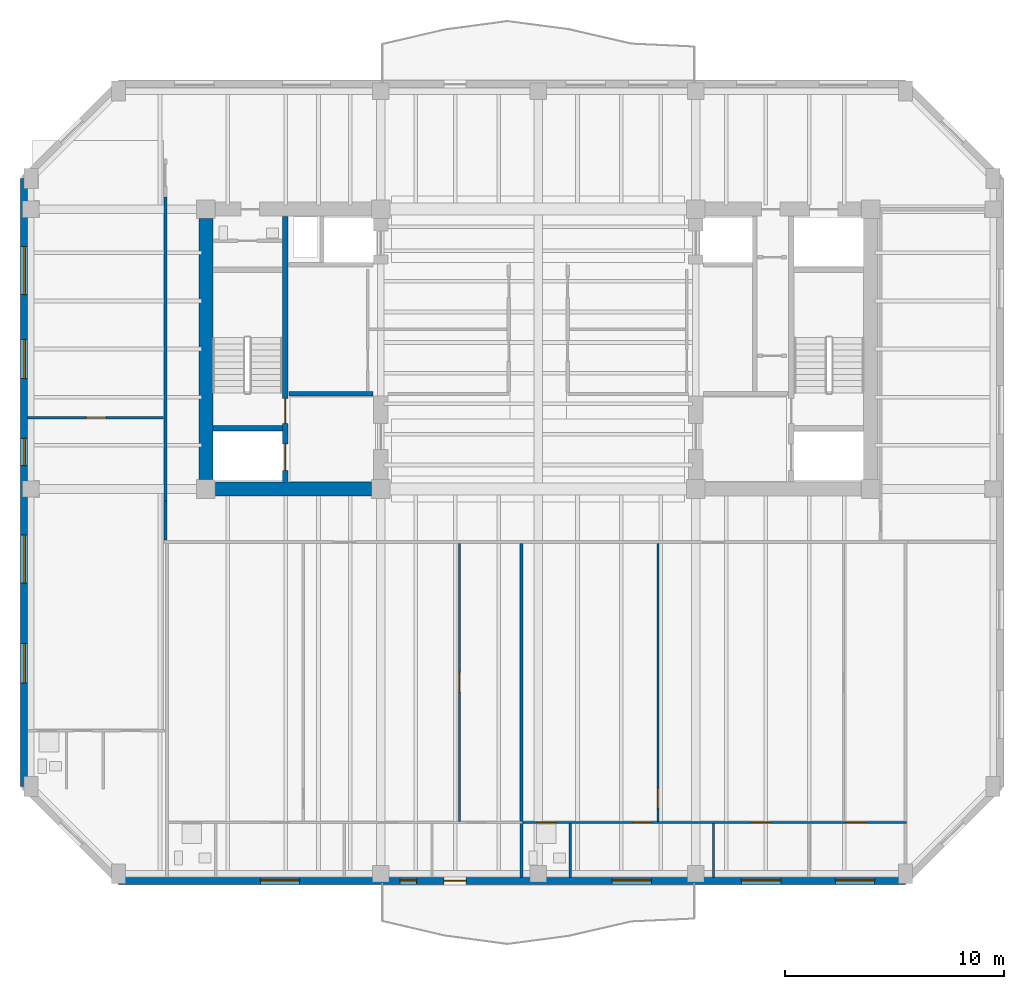
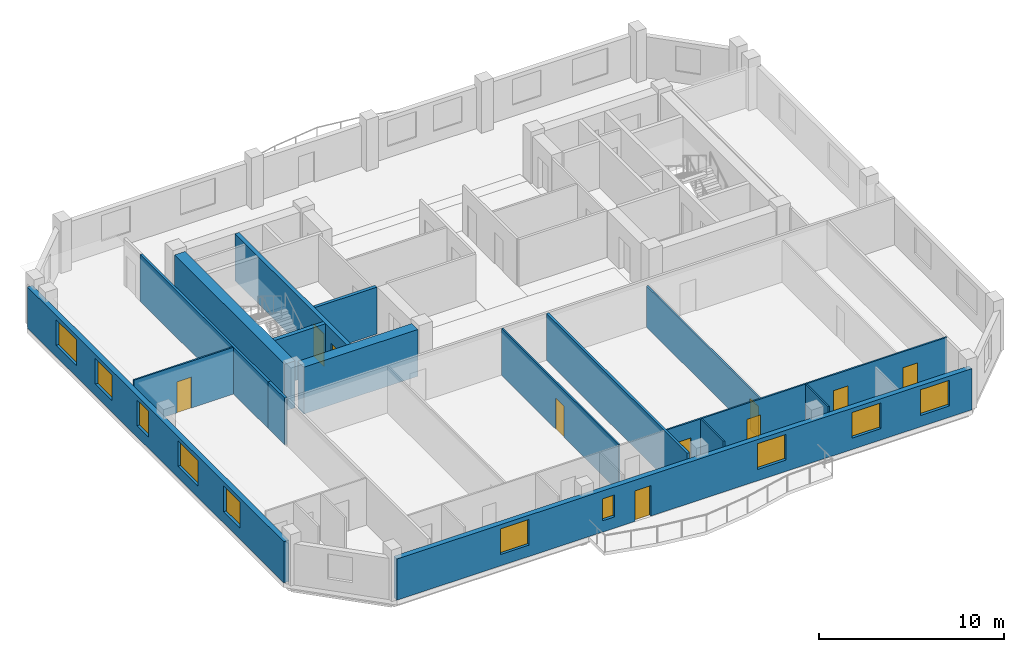
# One storey, part 3 of 11: 16 walls, 10 doors, 10 windows, 20 openings.
"""IFC4 building model written with IfcOpenShell, lengths in metres."""

from ifc_helpers import new_model, si_unit, direction, frame, frame_2d, origin, place, context, subcontext, project, spatial, rectangle, extrude, material, layer, layer_set, type_object, element, fill, save


model = new_model("IFC4")

# Units and contexts
model_context = context("Model", 3, precision=1e-05, world=origin(), true_north=direction((0.0, 1.0)))
body_context = subcontext(model_context, "Body", "Model", "MODEL_VIEW")
ifc_project = project(units=[si_unit("LENGTHUNIT", "METRE"), si_unit("AREAUNIT", "SQUARE_METRE"), si_unit("VOLUMEUNIT", "CUBIC_METRE"), si_unit("PLANEANGLEUNIT", "RADIAN"), si_unit("MASSUNIT", "GRAM", prefix="KILO")], contexts=[model_context])

# Site, building, storey
site_placement = place(None, origin())
site = spatial("IfcSite", under=ifc_project, at=site_placement, CompositionType="ELEMENT")
building_placement = place(site_placement, origin())
building = spatial("IfcBuilding", under=site, at=building_placement, Name="Kranthara Brick Stack", CompositionType="ELEMENT")
storey_placement = place(building_placement, frame((0.0, 0.0, 210.89990234375)))
storey = spatial("IfcBuildingStorey", under=building, at=storey_placement, Name="L54", CompositionType="ELEMENT", Elevation=210.89990234375)

# Wall, openings, door, windows
ifc_material_1 = material(Name="Warm buff clay brick masonry M15", Category="masonry")
ifc_layer_1 = layer(ifc_material_1, 0.320068359375)
ifc_layer_set_1 = layer_set([ifc_layer_1], Name="Warm buff clay brick masonry M15")
wall_type_1 = type_object("IfcWallType", Name="WL-BRK-UPPR-320", PredefinedType="STANDARD", material=ifc_layer_set_1)
wall_1_placement = place(storey_placement, frame((44.800048828125, 2.8798828125, 0.0), z_axis=(0.0, 0.0, 1.0), x_axis=(-1.0, 0.0, 0.0)))
wall_1 = element("IfcWall", 1, at=wall_1_placement, inside=storey, type_object=wall_type_1, Name="L54 Exterior Brick Facade Wall SOUTH 1", PredefinedType="STANDARD", context=body_context, shape_type="SweptSolid", body=[
    extrude(rectangle(XDim=36.0, YDim=0.320068359375, at=frame_2d((18.0, 0.0))), origin(), (0.0, 0.0, 1.0), 2.72509765625),
])
opening_1_placement = place(wall_1_placement, frame((20.10009765625, 0.0, 0.0)))
opening_1 = element("IfcOpeningElement", 2, at=opening_1_placement, cuts=wall_1, Name="Opening D03", PredefinedType="OPENING", context=body_context, shape_type="SweptSolid", body=[
    extrude(rectangle(XDim=1.0, YDim=2.02001953125, at=frame_2d((0.5, 1.010009765625))), frame((0.0, 0.169921875, 0.0), z_axis=(0.0, -1.0, 0.0), x_axis=(1.0, 0.0, 0.0)), (0.0, 0.0, 1.0), 0.340087890625),
])
opening_2_placement = place(wall_1_placement, frame((1.416015625, 0.0, 0.75)))
opening_2 = element("IfcOpeningElement", 3, at=opening_2_placement, cuts=wall_1, Name="Opening WN07", PredefinedType="OPENING", context=body_context, shape_type="SweptSolid", body=[
    extrude(rectangle(XDim=1.800048828125, YDim=1.699951171875, at=frame_2d((0.89990234375, 0.85009765625))), frame((0.0, 0.169921875, 0.0), z_axis=(0.0, -1.0, 0.0), x_axis=(1.0, 0.0, 0.0)), (0.0, 0.0, 1.0), 0.340087890625),
])
opening_3_placement = place(wall_1_placement, frame((5.70703125, 0.0, 0.75)))
opening_3 = element("IfcOpeningElement", 4, at=opening_3_placement, cuts=wall_1, Name="Opening WN07", PredefinedType="OPENING", context=body_context, shape_type="SweptSolid", body=[
    extrude(rectangle(XDim=1.800048828125, YDim=1.699951171875, at=frame_2d((0.89990234375, 0.85009765625))), frame((0.0, 0.169921875, 0.0), z_axis=(0.0, -1.0, 0.0), x_axis=(1.0, 0.0, 0.0)), (0.0, 0.0, 1.0), 0.340087890625),
])
opening_4_placement = place(wall_1_placement, frame((11.6298828125, 0.0, 0.75)))
opening_4 = element("IfcOpeningElement", 5, at=opening_4_placement, cuts=wall_1, Name="Opening WN07", PredefinedType="OPENING", context=body_context, shape_type="SweptSolid", body=[
    extrude(rectangle(XDim=1.800048828125, YDim=1.699951171875, at=frame_2d((0.89990234375, 0.85009765625))), frame((0.0, 0.169921875, 0.0), z_axis=(0.0, -1.0, 0.0), x_axis=(1.0, 0.0, 0.0)), (0.0, 0.0, 1.0), 0.340087890625),
])
opening_5_placement = place(wall_1_placement, frame((27.7119140625, 0.0, 0.75)))
opening_5 = element("IfcOpeningElement", 6, at=opening_5_placement, cuts=wall_1, Name="Opening WN07", PredefinedType="OPENING", context=body_context, shape_type="SweptSolid", body=[
    extrude(rectangle(XDim=1.800048828125, YDim=1.699951171875, at=frame_2d((0.89990234375, 0.85009765625))), frame((0.0, 0.169921875, 0.0), z_axis=(0.0, -1.0, 0.0), x_axis=(1.0, 0.0, 0.0)), (0.0, 0.0, 1.0), 0.340087890625),
])
opening_6_placement = place(wall_1_placement, frame((22.366943359375, 0.0, 0.75)))
opening_6 = element("IfcOpeningElement", 7, at=opening_6_placement, cuts=wall_1, Name="Opening WN13", PredefinedType="OPENING", context=body_context, shape_type="SweptSolid", body=[
    extrude(rectangle(XDim=0.75, YDim=1.449951171875, at=frame_2d((0.375, 0.72509765625))), frame((0.0, 0.169921875, 0.0), z_axis=(0.0, -1.0, 0.0), x_axis=(1.0, 0.0, 0.0)), (0.0, 0.0, 1.0), 0.340087890625),
])
ifc_material_2 = material(Name="Bronze anodised aluminium and laminated glass", Category="aluminium")
door_type_1 = type_object("IfcDoorType", Name="DR-BALC-1000", OperationType="NOTDEFINED", PredefinedType="DOOR", material=ifc_material_2)
door_1_placement = place(opening_1_placement, origin())
door_1 = element("IfcDoor", 8, at=door_1_placement, inside=storey, type_object=door_type_1, Name="L54 South Balcony Terrace Door", OperationType="SINGLE_SWING_LEFT", OverallHeight=2.02001953125, OverallWidth=1.0, PredefinedType="DOOR", context=body_context, shape_type="SweptSolid", body=[
    extrude(rectangle(XDim=1.0, YDim=2.02001953125, at=frame_2d((0.5, 1.010009765625))), frame((0.0, 0.02490234375, 0.0), z_axis=(0.0, -1.0, 0.0), x_axis=(1.0, 0.0, 0.0)), (0.0, 0.0, 1.0), 0.050048828125),
])
fill(opening_1, door_1)
ifc_material_3 = material(Name="Double-glazed low-E solar control glass", Category="glass")
window_type_1 = type_object("IfcWindowType", Name="WN-CAS-750x1450", PartitioningType="SINGLE_PANEL", PredefinedType="WINDOW", material=ifc_material_3)
window_1_placement = place(opening_6_placement, origin())
window_1 = element("IfcWindow", 9, at=window_1_placement, inside=storey, type_object=window_type_1, Name="L54 South Deep-Set Casement Window 05", OverallHeight=1.449951171875, OverallWidth=0.75, PartitioningType="SINGLE_PANEL", PredefinedType="WINDOW", context=body_context, shape_type="SweptSolid", body=[
    extrude(rectangle(XDim=0.75, YDim=1.449951171875, at=frame_2d((0.375, 0.72509765625))), frame((0.0, -0.010009765625, 0.0), z_axis=(0.0, -1.0, 0.0), x_axis=(1.0, 0.0, 0.0)), (0.0, 0.0, 1.0), 0.06005859375),
])
fill(opening_6, window_1)
ifc_material_4 = material(Name="Double-glazed low-E solar control glass", Category="glass")
window_type_2 = type_object("IfcWindowType", Name="WN-RES-1800x1850", PartitioningType="DOUBLE_PANEL_VERTICAL", PredefinedType="WINDOW", material=ifc_material_4)
window_2_placement = place(opening_2_placement, origin())
window_2 = element("IfcWindow", 10, at=window_2_placement, inside=storey, type_object=window_type_2, Name="L54 South Deep-Set Brick Window 01", OverallHeight=1.699951171875, OverallWidth=1.800048828125, PartitioningType="SINGLE_PANEL", PredefinedType="WINDOW", context=body_context, shape_type="SweptSolid", body=[
    extrude(rectangle(XDim=1.800048828125, YDim=1.699951171875, at=frame_2d((0.89990234375, 0.85009765625))), frame((0.0, -0.010009765625, 0.0), z_axis=(0.0, -1.0, 0.0), x_axis=(1.0, 0.0, 0.0)), (0.0, 0.0, 1.0), 0.06005859375),
])
fill(opening_2, window_2)
window_3_placement = place(opening_3_placement, origin())
window_3 = element("IfcWindow", 11, at=window_3_placement, inside=storey, type_object=window_type_2, Name="L54 South Deep-Set Brick Window 02", OverallHeight=1.699951171875, OverallWidth=1.800048828125, PartitioningType="SINGLE_PANEL", PredefinedType="WINDOW", context=body_context, shape_type="SweptSolid", body=[
    extrude(rectangle(XDim=1.800048828125, YDim=1.699951171875, at=frame_2d((0.89990234375, 0.85009765625))), frame((0.0, -0.010009765625, 0.0), z_axis=(0.0, -1.0, 0.0), x_axis=(1.0, 0.0, 0.0)), (0.0, 0.0, 1.0), 0.06005859375),
])
fill(opening_3, window_3)
window_4_placement = place(opening_4_placement, origin())
window_4 = element("IfcWindow", 12, at=window_4_placement, inside=storey, type_object=window_type_2, Name="L54 South Deep-Set Brick Window 03", OverallHeight=1.699951171875, OverallWidth=1.800048828125, PartitioningType="SINGLE_PANEL", PredefinedType="WINDOW", context=body_context, shape_type="SweptSolid", body=[
    extrude(rectangle(XDim=1.800048828125, YDim=1.699951171875, at=frame_2d((0.89990234375, 0.85009765625))), frame((0.0, -0.010009765625, 0.0), z_axis=(0.0, -1.0, 0.0), x_axis=(1.0, 0.0, 0.0)), (0.0, 0.0, 1.0), 0.06005859375),
])
fill(opening_4, window_4)
window_5_placement = place(opening_5_placement, origin())
window_5 = element("IfcWindow", 13, at=window_5_placement, inside=storey, type_object=window_type_2, Name="L54 South Deep-Set Brick Window 04", OverallHeight=1.699951171875, OverallWidth=1.800048828125, PartitioningType="SINGLE_PANEL", PredefinedType="WINDOW", context=body_context, shape_type="SweptSolid", body=[
    extrude(rectangle(XDim=1.800048828125, YDim=1.699951171875, at=frame_2d((0.89990234375, 0.85009765625))), frame((0.0, -0.010009765625, 0.0), z_axis=(0.0, -1.0, 0.0), x_axis=(1.0, 0.0, 0.0)), (0.0, 0.0, 1.0), 0.06005859375),
])
fill(opening_5, window_5)

# Wall, openings, windows
wall_2_placement = place(storey_placement, frame((4.47998046875, 7.199951171875, 0.0), z_axis=(0.0, 0.0, 1.0), x_axis=(0.0, 1.0, 0.0)))
wall_2 = element("IfcWall", 14, at=wall_2_placement, inside=storey, type_object=wall_type_1, Name="L54 Exterior Brick Facade Wall WEST 1", PredefinedType="STANDARD", context=body_context, shape_type="SweptSolid", body=[
    extrude(rectangle(XDim=27.800048828125, YDim=0.320068359375, at=frame_2d((13.89990234375, 0.0))), origin(), (0.0, 0.0, 1.0), 2.72509765625),
])
opening_7_placement = place(wall_2_placement, frame((4.72998046875, 0.0, 0.75)))
opening_7 = element("IfcOpeningElement", 15, at=opening_7_placement, cuts=wall_2, Name="Opening WN07", PredefinedType="OPENING", context=body_context, shape_type="SweptSolid", body=[
    extrude(rectangle(XDim=1.800048828125, YDim=1.699951171875, at=frame_2d((0.89990234375, 0.85009765625))), frame((0.0, 0.169921875, 0.0), z_axis=(0.0, -1.0, 0.0), x_axis=(1.0, 0.0, 0.0)), (0.0, 0.0, 1.0), 0.340087890625),
])
opening_8_placement = place(wall_2_placement, frame((9.294921875, 0.0, 0.75)))
opening_8 = element("IfcOpeningElement", 16, at=opening_8_placement, cuts=wall_2, Name="Opening WN08", PredefinedType="OPENING", context=body_context, shape_type="SweptSolid", body=[
    extrude(rectangle(XDim=2.199951171875, YDim=1.699951171875, at=frame_2d((1.10009765625, 0.85009765625))), frame((0.0, 0.169921875, 0.0), z_axis=(0.0, -1.0, 0.0), x_axis=(1.0, 0.0, 0.0)), (0.0, 0.0, 1.0), 0.340087890625),
])
opening_9_placement = place(wall_2_placement, frame((14.6689453125, 0.0, 0.75)))
opening_9 = element("IfcOpeningElement", 17, at=opening_9_placement, cuts=wall_2, Name="Opening WN09", PredefinedType="OPENING", context=body_context, shape_type="SweptSolid", body=[
    extrude(rectangle(XDim=1.25, YDim=1.699951171875, at=frame_2d((0.625, 0.85009765625))), frame((0.0, 0.169921875, 0.0), z_axis=(0.0, -1.0, 0.0), x_axis=(1.0, 0.0, 0.0)), (0.0, 0.0, 1.0), 0.340087890625),
])
opening_10_placement = place(wall_2_placement, frame((18.64892578125, 0.0, 0.75)))
opening_10 = element("IfcOpeningElement", 18, at=opening_10_placement, cuts=wall_2, Name="Opening WN07", PredefinedType="OPENING", context=body_context, shape_type="SweptSolid", body=[
    extrude(rectangle(XDim=1.800048828125, YDim=1.699951171875, at=frame_2d((0.89990234375, 0.85009765625))), frame((0.0, 0.169921875, 0.0), z_axis=(0.0, -1.0, 0.0), x_axis=(1.0, 0.0, 0.0)), (0.0, 0.0, 1.0), 0.340087890625),
])
opening_11_placement = place(wall_2_placement, frame((22.488037109375, 0.0, 0.75)))
opening_11 = element("IfcOpeningElement", 19, at=opening_11_placement, cuts=wall_2, Name="Opening WN08", PredefinedType="OPENING", context=body_context, shape_type="SweptSolid", body=[
    extrude(rectangle(XDim=2.199951171875, YDim=1.699951171875, at=frame_2d((1.10009765625, 0.85009765625))), frame((0.0, 0.169921875, 0.0), z_axis=(0.0, -1.0, 0.0), x_axis=(1.0, 0.0, 0.0)), (0.0, 0.0, 1.0), 0.340087890625),
])
ifc_material_5 = material(Name="Double-glazed low-E solar control glass", Category="glass")
window_type_3 = type_object("IfcWindowType", Name="WN-RES-1250x1850", PartitioningType="SINGLE_PANEL", PredefinedType="WINDOW", material=ifc_material_5)
window_6_placement = place(opening_9_placement, origin())
window_6 = element("IfcWindow", 20, at=window_6_placement, inside=storey, type_object=window_type_3, Name="L54 West Deep-Set Brick Window 03", OverallHeight=1.699951171875, OverallWidth=1.25, PartitioningType="SINGLE_PANEL", PredefinedType="WINDOW", context=body_context, shape_type="SweptSolid", body=[
    extrude(rectangle(XDim=1.25, YDim=1.699951171875, at=frame_2d((0.625, 0.85009765625))), frame((0.0, -0.010009765625, 0.0), z_axis=(0.0, -1.0, 0.0), x_axis=(1.0, 0.0, 0.0)), (0.0, 0.0, 1.0), 0.06005859375),
])
fill(opening_9, window_6)
window_7_placement = place(opening_7_placement, origin())
window_7 = element("IfcWindow", 21, at=window_7_placement, inside=storey, type_object=window_type_2, Name="L54 West Deep-Set Brick Window 01", OverallHeight=1.699951171875, OverallWidth=1.800048828125, PartitioningType="SINGLE_PANEL", PredefinedType="WINDOW", context=body_context, shape_type="SweptSolid", body=[
    extrude(rectangle(XDim=1.800048828125, YDim=1.699951171875, at=frame_2d((0.89990234375, 0.85009765625))), frame((0.0, -0.010009765625, 0.0), z_axis=(0.0, -1.0, 0.0), x_axis=(1.0, 0.0, 0.0)), (0.0, 0.0, 1.0), 0.06005859375),
])
fill(opening_7, window_7)
window_8_placement = place(opening_10_placement, origin())
window_8 = element("IfcWindow", 22, at=window_8_placement, inside=storey, type_object=window_type_2, Name="L54 West Deep-Set Brick Window 04", OverallHeight=1.699951171875, OverallWidth=1.800048828125, PartitioningType="SINGLE_PANEL", PredefinedType="WINDOW", context=body_context, shape_type="SweptSolid", body=[
    extrude(rectangle(XDim=1.800048828125, YDim=1.699951171875, at=frame_2d((0.89990234375, 0.85009765625))), frame((0.0, -0.010009765625, 0.0), z_axis=(0.0, -1.0, 0.0), x_axis=(1.0, 0.0, 0.0)), (0.0, 0.0, 1.0), 0.06005859375),
])
fill(opening_10, window_8)
ifc_material_6 = material(Name="Double-glazed low-E solar control glass", Category="glass")
window_type_4 = type_object("IfcWindowType", Name="WN-RES-2200x1850", PartitioningType="TRIPLE_PANEL_VERTICAL", PredefinedType="WINDOW", material=ifc_material_6)
window_9_placement = place(opening_8_placement, origin())
window_9 = element("IfcWindow", 23, at=window_9_placement, inside=storey, type_object=window_type_4, Name="L54 West Deep-Set Brick Window 02", OverallHeight=1.699951171875, OverallWidth=2.199951171875, PartitioningType="SINGLE_PANEL", PredefinedType="WINDOW", context=body_context, shape_type="SweptSolid", body=[
    extrude(rectangle(XDim=2.199951171875, YDim=1.699951171875, at=frame_2d((1.10009765625, 0.85009765625))), frame((0.0, -0.010009765625, 0.0), z_axis=(0.0, -1.0, 0.0), x_axis=(1.0, 0.0, 0.0)), (0.0, 0.0, 1.0), 0.06005859375),
])
fill(opening_8, window_9)
window_10_placement = place(opening_11_placement, origin())
window_10 = element("IfcWindow", 24, at=window_10_placement, inside=storey, type_object=window_type_4, Name="L54 West Deep-Set Brick Window 05", OverallHeight=1.699951171875, OverallWidth=2.199951171875, PartitioningType="SINGLE_PANEL", PredefinedType="WINDOW", context=body_context, shape_type="SweptSolid", body=[
    extrude(rectangle(XDim=2.199951171875, YDim=1.699951171875, at=frame_2d((1.10009765625, 0.85009765625))), frame((0.0, -0.010009765625, 0.0), z_axis=(0.0, -1.0, 0.0), x_axis=(1.0, 0.0, 0.0)), (0.0, 0.0, 1.0), 0.06005859375),
])
fill(opening_11, window_10)

# Wall, openings, doors
ifc_material_7 = material(Name="Concrete C50/60", Category="concrete")
ifc_layer_2 = layer(ifc_material_7, 0.25)
ifc_layer_set_2 = layer_set([ifc_layer_2], Name="Concrete C50/60")
wall_type_2 = type_object("IfcWallType", Name="WL-CORE-250", PredefinedType="SHEAR", material=ifc_layer_set_2)
wall_3_placement = place(storey_placement, frame((16.43505859375, 21.135009765625, 0.0), z_axis=(0.0, 0.0, 1.0), x_axis=(0.0, 1.0, 0.0)))
wall_3 = element("IfcWall", 25, at=wall_3_placement, inside=storey, type_object=wall_type_2, Name="L54 West Core Stair Bearing Spine Wall", PredefinedType="SHEAR", context=body_context, shape_type="SweptSolid", body=[
    extrude(rectangle(XDim=12.1298828125, YDim=0.25, at=frame_2d((6.06494140625, 0.0))), origin(), (0.0, 0.0, 1.0), 3.10009765625),
])
opening_12_placement = place(wall_3_placement, frame((0.514892578125, 0.0, 0.0)))
opening_12 = element("IfcOpeningElement", 26, at=opening_12_placement, cuts=wall_3, Name="Opening LD01", PredefinedType="OPENING", context=body_context, shape_type="SweptSolid", body=[
    extrude(rectangle(XDim=1.199951171875, YDim=2.14990234375, at=frame_2d((0.60009765625, 1.074951171875))), frame((0.0, 0.135009765625, 0.0), z_axis=(0.0, -1.0, 0.0), x_axis=(1.0, 0.0, 0.0)), (0.0, 0.0, 1.0), 0.27001953125),
])
opening_13_placement = place(wall_3_placement, frame((2.6650390625, 0.0, 0.0)))
opening_13 = element("IfcOpeningElement", 27, at=opening_13_placement, cuts=wall_3, Name="Opening D05", PredefinedType="OPENING", context=body_context, shape_type="SweptSolid", body=[
    extrude(rectangle(XDim=1.14990234375, YDim=2.14990234375, at=frame_2d((0.574951171875, 1.074951171875))), frame((0.0, 0.135009765625, 0.0), z_axis=(0.0, -1.0, 0.0), x_axis=(1.0, 0.0, 0.0)), (0.0, 0.0, 1.0), 0.27001953125),
])
ifc_material_8 = material(Name="Stainless steel sliding landing door", Category="steel")
door_type_2 = type_object("IfcDoorType", Name="DR-LD-FF1200", OperationType="DOUBLE_DOOR_SLIDING", PredefinedType="DOOR", material=ifc_material_8)
door_2_placement = place(opening_12_placement, origin())
door_2 = element("IfcDoor", 28, at=door_2_placement, inside=storey, type_object=door_type_2, Name="L54 Firefighting Lift FF-01 Landing Door", OperationType="DOUBLE_DOOR_SLIDING", OverallHeight=2.14990234375, OverallWidth=1.199951171875, PredefinedType="DOOR", context=body_context, shape_type="SweptSolid", body=[
    extrude(rectangle(XDim=1.199951171875, YDim=2.14990234375, at=frame_2d((0.60009765625, 1.074951171875))), frame((0.0, 0.02490234375, 0.0), z_axis=(0.0, -1.0, 0.0), x_axis=(1.0, 0.0, 0.0)), (0.0, 0.0, 1.0), 0.050048828125),
])
fill(opening_12, door_2)
ifc_material_9 = material(Name="Solid-core hardwood timber leaf in steel frame", Category="steel")
door_type_3 = type_object("IfcDoorType", Name="DR-ST-1150", OperationType="NOTDEFINED", PredefinedType="DOOR", material=ifc_material_9)
door_3_placement = place(opening_13_placement, origin())
door_3 = element("IfcDoor", 29, at=door_3_placement, inside=storey, type_object=door_type_3, Name="L54 Exit Stair ST01 Door", OperationType="SINGLE_SWING_RIGHT", OverallHeight=2.14990234375, OverallWidth=1.14990234375, PredefinedType="DOOR", context=body_context, shape_type="SweptSolid", body=[
    extrude(rectangle(XDim=1.14990234375, YDim=2.14990234375, at=frame_2d((0.574951171875, 1.074951171875))), frame((0.0, 0.02490234375, 0.0), z_axis=(0.0, -1.0, 0.0), x_axis=(1.0, 0.0, 0.0)), (0.0, 0.0, 1.0), 0.050048828125),
])
fill(opening_13, door_3)

# Walls
wall_4_placement = place(storey_placement, frame((13.135009765625, 23.570068359375, 0.0), z_axis=(0.0, 0.0, 1.0), x_axis=(1.0, 0.0, 0.0)))
element("IfcWall", 30, at=wall_4_placement, inside=storey, type_object=wall_type_2, Name="L54 West Stairwell Bearing Wall WFF", PredefinedType="SHEAR", context=body_context, shape_type="SweptSolid", body=[
    extrude(rectangle(XDim=3.175048828125, YDim=0.25, at=frame_2d((1.58740234375, 0.0))), origin(), (0.0, 0.0, 1.0), 3.10009765625),
])
ifc_material_10 = material(Name="Concrete C60/75", Category="concrete")
ifc_layer_3 = layer(ifc_material_10, 0.64990234375)
ifc_layer_set_3 = layer_set([ifc_layer_3], Name="Concrete C60/75")
wall_type_3 = type_object("IfcWallType", Name="WL-CORE-650", PredefinedType="SHEAR", material=ifc_layer_set_3)
wall_5_placement = place(storey_placement, frame((12.800048828125, 21.22998046875, 0.0), z_axis=(0.0, 0.0, 1.0), x_axis=(0.0, 1.0, 0.0)))
element("IfcWall", 31, at=wall_5_placement, inside=storey, type_object=wall_type_3, Name="L54 West Core Shear Wall West", PredefinedType="SHEAR", context=body_context, shape_type="SweptSolid", body=[
    extrude(rectangle(XDim=11.93994140625, YDim=0.64990234375, at=frame_2d((5.969970703125, 0.0))), origin(), (0.0, 0.0, 1.0), 3.10009765625),
])
wall_6_placement = place(storey_placement, frame((13.22998046875, 20.800048828125, 0.0), z_axis=(0.0, 0.0, 1.0), x_axis=(1.0, 0.0, 0.0)))
element("IfcWall", 32, at=wall_6_placement, inside=storey, type_object=wall_type_3, Name="L54 West Core Shear Wall South", PredefinedType="SHEAR", context=body_context, shape_type="SweptSolid", body=[
    extrude(rectangle(XDim=7.14013671875, YDim=0.64990234375, at=frame_2d((3.570068359375, 0.0))), origin(), (0.0, 0.0, 1.0), 3.10009765625),
])

# Wall, opening, door
ifc_material_11 = material(Name="Moisture-resistant wet-room partition", Category="other")
ifc_layer_4 = layer(ifc_material_11, 0.10009765625)
ifc_layer_set_4 = layer_set([ifc_layer_4], Name="Moisture-resistant wet-room partition")
wall_type_4 = type_object("IfcWallType", Name="WL-PART-100", PredefinedType="PARTITIONING", material=ifc_layer_set_4)
wall_7_placement = place(storey_placement, frame((24.39208984375, 5.60498046875, 0.0), z_axis=(0.0, 0.0, 1.0), x_axis=(0.0, 1.0, 0.0)))
wall_7 = element("IfcWall", 33, at=wall_7_placement, inside=storey, type_object=wall_type_4, Name="L54 Interior Partition 015", PredefinedType="PARTITIONING", context=body_context, shape_type="SweptSolid", body=[
    extrude(rectangle(XDim=12.695068359375, YDim=0.10009765625, at=frame_2d((6.34765625, 0.0))), origin(), (0.0, 0.0, 1.0), 3.10009765625),
])
opening_14_placement = place(wall_7_placement, frame((5.909912109375, 0.0, 0.0)))
opening_14 = element("IfcOpeningElement", 34, at=opening_14_placement, cuts=wall_7, Name="Opening D15", PredefinedType="OPENING", context=body_context, shape_type="SweptSolid", body=[
    extrude(rectangle(XDim=0.89990234375, YDim=2.050048828125, at=frame_2d((0.449951171875, 1.02490234375))), frame((0.0, 0.06005859375, 0.0), z_axis=(0.0, -1.0, 0.0), x_axis=(1.0, 0.0, 0.0)), (0.0, 0.0, 1.0), 0.1201171875),
])
ifc_material_12 = material(Name="Solid-core hardwood timber leaf in steel frame", Category="steel")
door_type_4 = type_object("IfcDoorType", Name="DR-INT-900", OperationType="NOTDEFINED", PredefinedType="DOOR", material=ifc_material_12)
door_4_placement = place(opening_14_placement, origin())
door_4 = element("IfcDoor", 35, at=door_4_placement, inside=storey, type_object=door_type_4, Name="L54 Unit L54A Bedroom 3 11", OperationType="SINGLE_SWING_LEFT", OverallHeight=2.050048828125, OverallWidth=0.89990234375, PredefinedType="DOOR", context=body_context, shape_type="SweptSolid", body=[
    extrude(rectangle(XDim=0.89990234375, YDim=2.050048828125, at=frame_2d((0.449951171875, 1.02490234375))), frame((0.0, 0.02490234375, 0.0), z_axis=(0.0, -1.0, 0.0), x_axis=(1.0, 0.0, 0.0)), (0.0, 0.0, 1.0), 0.050048828125),
])
fill(opening_14, door_4)

# Wall, openings, doors
wall_8_placement = place(storey_placement, frame((27.31396484375, 5.550048828125, 0.0), z_axis=(0.0, 0.0, 1.0), x_axis=(1.0, 0.0, 0.0)))
wall_8 = element("IfcWall", 36, at=wall_8_placement, inside=storey, type_object=wall_type_4, Name="L54 Interior Partition 021", PredefinedType="PARTITIONING", context=body_context, shape_type="SweptSolid", body=[
    extrude(rectangle(XDim=17.526123046875, YDim=0.10009765625, at=frame_2d((8.76318359375, 0.0))), origin(), (0.0, 0.0, 1.0), 3.10009765625),
])
opening_15_placement = place(wall_8_placement, frame((0.64990234375, 0.0, 0.0)))
opening_15 = element("IfcOpeningElement", 37, at=opening_15_placement, cuts=wall_8, Name="Opening D17", PredefinedType="OPENING", context=body_context, shape_type="SweptSolid", body=[
    extrude(rectangle(XDim=0.85009765625, YDim=2.050048828125, at=frame_2d((0.425048828125, 1.02490234375))), frame((0.0, 0.06005859375, 0.0), z_axis=(0.0, -1.0, 0.0), x_axis=(1.0, 0.0, 0.0)), (0.0, 0.0, 1.0), 0.1201171875),
])
opening_16_placement = place(wall_8_placement, frame((5.0009765625, 0.0, 0.0)))
opening_16 = element("IfcOpeningElement", 38, at=opening_16_placement, cuts=wall_8, Name="Opening D16", PredefinedType="OPENING", context=body_context, shape_type="SweptSolid", body=[
    extrude(rectangle(XDim=0.85009765625, YDim=2.050048828125, at=frame_2d((0.425048828125, 1.02490234375))), frame((0.0, 0.06005859375, 0.0), z_axis=(0.0, -1.0, 0.0), x_axis=(1.0, 0.0, 0.0)), (0.0, 0.0, 1.0), 0.1201171875),
])
opening_17_placement = place(wall_8_placement, frame((10.427978515625, 0.0, 0.0)))
opening_17 = element("IfcOpeningElement", 39, at=opening_17_placement, cuts=wall_8, Name="Opening D15", PredefinedType="OPENING", context=body_context, shape_type="SweptSolid", body=[
    extrude(rectangle(XDim=0.89990234375, YDim=2.050048828125, at=frame_2d((0.449951171875, 1.02490234375))), frame((0.0, 0.06005859375, 0.0), z_axis=(0.0, -1.0, 0.0), x_axis=(1.0, 0.0, 0.0)), (0.0, 0.0, 1.0), 0.1201171875),
])
opening_18_placement = place(wall_8_placement, frame((14.780029296875, 0.0, 0.0)))
opening_18 = element("IfcOpeningElement", 40, at=opening_18_placement, cuts=wall_8, Name="Opening D15", PredefinedType="OPENING", context=body_context, shape_type="SweptSolid", body=[
    extrude(rectangle(XDim=0.89990234375, YDim=2.050048828125, at=frame_2d((0.449951171875, 1.02490234375))), frame((0.0, 0.06005859375, 0.0), z_axis=(0.0, -1.0, 0.0), x_axis=(1.0, 0.0, 0.0)), (0.0, 0.0, 1.0), 0.1201171875),
])
ifc_material_13 = material(Name="Solid-core hardwood timber leaf in steel frame", Category="steel")
door_type_5 = type_object("IfcDoorType", Name="DR-INT-850", OperationType="NOTDEFINED", PredefinedType="DOOR", material=ifc_material_13)
door_5_placement = place(opening_16_placement, origin())
door_5 = element("IfcDoor", 41, at=door_5_placement, inside=storey, type_object=door_type_5, Name="L54 Unit L54B Kitchen 21", OperationType="SINGLE_SWING_LEFT", OverallHeight=2.050048828125, OverallWidth=0.85009765625, PredefinedType="DOOR", context=body_context, shape_type="SweptSolid", body=[
    extrude(rectangle(XDim=0.85009765625, YDim=2.050048828125, at=frame_2d((0.425048828125, 1.02490234375))), frame((0.0, 0.02490234375, 0.0), z_axis=(0.0, -1.0, 0.0), x_axis=(1.0, 0.0, 0.0)), (0.0, 0.0, 1.0), 0.050048828125),
])
fill(opening_16, door_5)
door_6_placement = place(opening_17_placement, origin())
door_6 = element("IfcDoor", 42, at=door_6_placement, inside=storey, type_object=door_type_4, Name="L54 Unit L54B Master Bedroom 22", OperationType="SINGLE_SWING_RIGHT", OverallHeight=2.050048828125, OverallWidth=0.89990234375, PredefinedType="DOOR", context=body_context, shape_type="SweptSolid", body=[
    extrude(rectangle(XDim=0.89990234375, YDim=2.050048828125, at=frame_2d((0.449951171875, 1.02490234375))), frame((0.0, 0.02490234375, 0.0), z_axis=(0.0, -1.0, 0.0), x_axis=(1.0, 0.0, 0.0)), (0.0, 0.0, 1.0), 0.050048828125),
])
fill(opening_17, door_6)
door_7_placement = place(opening_18_placement, origin())
door_7 = element("IfcDoor", 43, at=door_7_placement, inside=storey, type_object=door_type_4, Name="L54 Unit L54B Bedroom 2 23", OperationType="SINGLE_SWING_LEFT", OverallHeight=2.050048828125, OverallWidth=0.89990234375, PredefinedType="DOOR", context=body_context, shape_type="SweptSolid", body=[
    extrude(rectangle(XDim=0.89990234375, YDim=2.050048828125, at=frame_2d((0.449951171875, 1.02490234375))), frame((0.0, 0.02490234375, 0.0), z_axis=(0.0, -1.0, 0.0), x_axis=(1.0, 0.0, 0.0)), (0.0, 0.0, 1.0), 0.050048828125),
])
fill(opening_18, door_7)
ifc_material_14 = material(Name="Solid-core hardwood timber leaf in steel frame", Category="steel")
door_type_6 = type_object("IfcDoorType", Name="DR-WET-850", OperationType="NOTDEFINED", PredefinedType="DOOR", material=ifc_material_14)
door_8_placement = place(opening_15_placement, origin())
door_8 = element("IfcDoor", 44, at=door_8_placement, inside=storey, type_object=door_type_6, Name="L54 Unit L54B Bathroom 20", OperationType="SINGLE_SWING_RIGHT", OverallHeight=2.050048828125, OverallWidth=0.85009765625, PredefinedType="DOOR", context=body_context, shape_type="SweptSolid", body=[
    extrude(rectangle(XDim=0.85009765625, YDim=2.050048828125, at=frame_2d((0.425048828125, 1.02490234375))), frame((0.0, 0.02490234375, 0.0), z_axis=(0.0, -1.0, 0.0), x_axis=(1.0, 0.0, 0.0)), (0.0, 0.0, 1.0), 0.050048828125),
])
fill(opening_15, door_8)

# Wall, opening, door
wall_9_placement = place(storey_placement, frame((33.469970703125, 5.60498046875, 0.0), z_axis=(0.0, 0.0, 1.0), x_axis=(0.0, 1.0, 0.0)))
wall_9 = element("IfcWall", 45, at=wall_9_placement, inside=storey, type_object=wall_type_4, Name="L54 Interior Partition 023", PredefinedType="PARTITIONING", context=body_context, shape_type="SweptSolid", body=[
    extrude(rectangle(XDim=12.695068359375, YDim=0.10009765625, at=frame_2d((6.34765625, 0.0))), origin(), (0.0, 0.0, 1.0), 2.72509765625),
])
opening_19_placement = place(wall_9_placement, frame((0.60498046875, 0.0, 0.0)))
opening_19 = element("IfcOpeningElement", 46, at=opening_19_placement, cuts=wall_9, Name="Opening D15", PredefinedType="OPENING", context=body_context, shape_type="SweptSolid", body=[
    extrude(rectangle(XDim=0.89990234375, YDim=2.050048828125, at=frame_2d((0.449951171875, 1.02490234375))), frame((0.0, 0.06005859375, 0.0), z_axis=(0.0, -1.0, 0.0), x_axis=(1.0, 0.0, 0.0)), (0.0, 0.0, 1.0), 0.1201171875),
])
door_9_placement = place(opening_19_placement, origin())
door_9 = element("IfcDoor", 47, at=door_9_placement, inside=storey, type_object=door_type_4, Name="L54 Unit L54B Study 19", OperationType="SINGLE_SWING_LEFT", OverallHeight=2.050048828125, OverallWidth=0.89990234375, PredefinedType="DOOR", context=body_context, shape_type="SweptSolid", body=[
    extrude(rectangle(XDim=0.89990234375, YDim=2.050048828125, at=frame_2d((0.449951171875, 1.02490234375))), frame((0.0, 0.02490234375, 0.0), z_axis=(0.0, -1.0, 0.0), x_axis=(1.0, 0.0, 0.0)), (0.0, 0.0, 1.0), 0.050048828125),
])
fill(opening_19, door_9)

# Walls
for number, where, z_axis, x_axis, name in (
    (48, (29.464111328125, 3.044921875, 0.0), (0.0, 0.0, 1.0), (0.0, 1.0, 0.0), "L54 Interior Partition 024"),
    (49, (36.01708984375, 3.044921875, 0.0), (0.0, 0.0, 1.0), (0.0, 1.0, 0.0), "L54 Interior Partition 025"),
):
    element("IfcWall", number, at=place(storey_placement, frame(where, z_axis=z_axis, x_axis=x_axis)), inside=storey, type_object=wall_type_4, Name=name, PredefinedType="PARTITIONING", context=body_context, shape_type="SweptSolid", body=[
        extrude(rectangle(XDim=2.4501953125, YDim=0.10009765625, at=frame_2d((1.22509765625, 0.0))), origin(), (0.0, 0.0, 1.0), 3.10009765625),
    ])

# Wall, opening, door
wall_10_placement = place(storey_placement, frame((4.64501953125, 24.06201171875, 0.0), z_axis=(0.0, 0.0, 1.0), x_axis=(1.0, 0.0, 0.0)))
wall_10 = element("IfcWall", 50, at=wall_10_placement, inside=storey, type_object=wall_type_4, Name="L54 Interior Partition 034", PredefinedType="PARTITIONING", context=body_context, shape_type="SweptSolid", body=[
    extrude(rectangle(XDim=6.22509765625, YDim=0.10009765625, at=frame_2d((3.112548828125, 0.0))), origin(), (0.0, 0.0, 1.0), 3.10009765625),
])
opening_20_placement = place(wall_10_placement, frame((2.696044921875, 0.0, 0.0)))
opening_20 = element("IfcOpeningElement", 51, at=opening_20_placement, cuts=wall_10, Name="Opening D15", PredefinedType="OPENING", context=body_context, shape_type="SweptSolid", body=[
    extrude(rectangle(XDim=0.89990234375, YDim=2.050048828125, at=frame_2d((0.449951171875, 1.02490234375))), frame((0.0, 0.06005859375, 0.0), z_axis=(0.0, -1.0, 0.0), x_axis=(1.0, 0.0, 0.0)), (0.0, 0.0, 1.0), 0.1201171875),
])
door_10_placement = place(opening_20_placement, origin())
door_10 = element("IfcDoor", 52, at=door_10_placement, inside=storey, type_object=door_type_4, Name="L54 Unit L54C Study 25", OperationType="SINGLE_SWING_LEFT", OverallHeight=2.050048828125, OverallWidth=0.89990234375, PredefinedType="DOOR", context=body_context, shape_type="SweptSolid", body=[
    extrude(rectangle(XDim=0.89990234375, YDim=2.050048828125, at=frame_2d((0.449951171875, 1.02490234375))), frame((0.0, 0.02490234375, 0.0), z_axis=(0.0, -1.0, 0.0), x_axis=(1.0, 0.0, 0.0)), (0.0, 0.0, 1.0), 0.050048828125),
])
fill(opening_20, door_10)

# Walls
ifc_material_15 = material(Name="Fire-rated gypsum board partition", Category="other")
ifc_layer_5 = layer(ifc_material_15, 0.14990234375)
ifc_layer_set_5 = layer_set([ifc_layer_5], Name="Fire-rated gypsum board partition")
wall_type_5 = type_object("IfcWallType", Name="WL-PART-150", PredefinedType="PARTITIONING", material=ifc_layer_set_5)
wall_11_placement = place(storey_placement, frame((27.23388671875, 3.044921875, 0.0), z_axis=(0.0, 0.0, 1.0), x_axis=(0.0, 1.0, 0.0)))
element("IfcWall", 53, at=wall_11_placement, inside=storey, type_object=wall_type_5, Name="L54 Interior Partition 020", PredefinedType="PARTITIONING", context=body_context, shape_type="SweptSolid", body=[
    extrude(rectangle(XDim=15.255126953125, YDim=0.14990234375, at=frame_2d((7.62744140625, 0.0))), origin(), (0.0, 0.0, 1.0), 3.10009765625),
])
wall_12_placement = place(storey_placement, frame((10.949951171875, 18.4599609375, 0.0), z_axis=(0.0, 0.0, 1.0), x_axis=(0.0, 1.0, 0.0)))
element("IfcWall", 54, at=wall_12_placement, inside=storey, type_object=wall_type_5, Name="L54 Interior Partition 029", PredefinedType="PARTITIONING", context=body_context, shape_type="SweptSolid", body=[
    extrude(rectangle(XDim=1.7900390625, YDim=0.14990234375, at=frame_2d((0.89501953125, 0.0))), origin(), (0.0, 0.0, 1.0), 3.10009765625),
])
wall_13_placement = place(storey_placement, frame((10.949951171875, 20.25, 0.0), z_axis=(0.0, 0.0, 1.0), x_axis=(0.0, 1.0, 0.0)))
element("IfcWall", 55, at=wall_13_placement, inside=storey, type_object=wall_type_5, Name="L54 Interior Partition 030", PredefinedType="PARTITIONING", context=body_context, shape_type="SweptSolid", body=[
    extrude(rectangle(XDim=13.89990234375, YDim=0.14990234375, at=frame_2d((6.949951171875, 0.0))), origin(), (0.0, 0.0, 1.0), 3.10009765625),
])
ifc_material_16 = material(Name="Concrete C40/50", Category="concrete")
ifc_layer_6 = layer(ifc_material_16, 0.199951171875)
ifc_layer_set_6 = layer_set([ifc_layer_6], Name="Concrete C40/50")
wall_type_6 = type_object("IfcWallType", Name="WL-PART-200", PredefinedType="SOLIDWALL", material=ifc_layer_set_6)
wall_14_placement = place(storey_placement, frame((16.60009765625, 25.14990234375, 0.0), z_axis=(0.0, 0.0, 1.0), x_axis=(1.0, 0.0, 0.0)))
element("IfcWall", 56, at=wall_14_placement, inside=storey, type_object=wall_type_6, Name="L54 West Core Cross Wall WFL", PredefinedType="SOLIDWALL", context=body_context, shape_type="SweptSolid", body=[
    extrude(rectangle(XDim=3.849853515625, YDim=0.199951171875, at=frame_2d((1.9248046875, 0.0))), origin(), (0.0, 0.0, 1.0), 3.10009765625),
])

save(model, "model.ifc")
